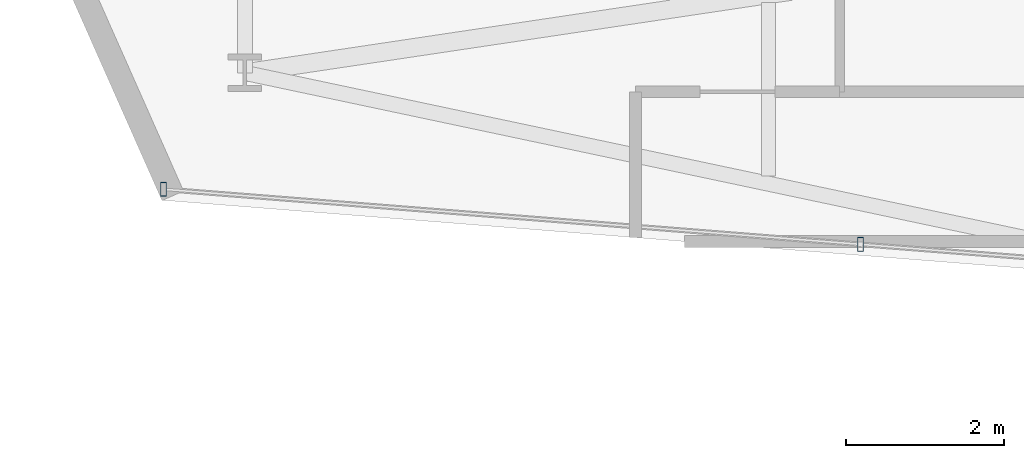
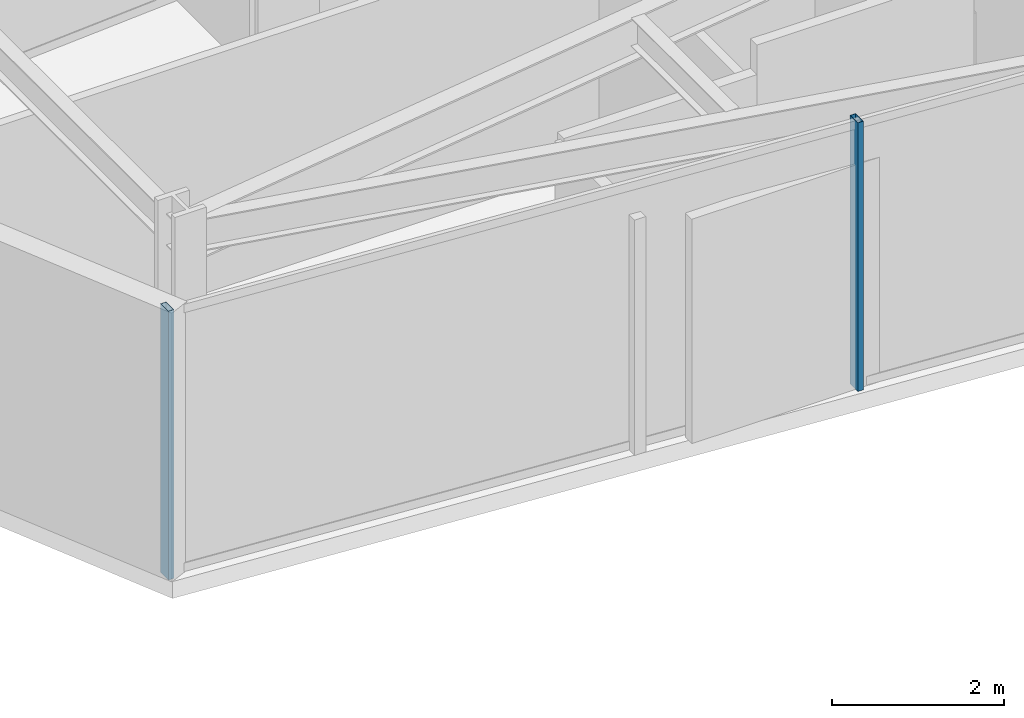
# One storey, part 2 of 24: 2 members, 1 element without a shape of its own.
"""IFC4 building model written with IfcOpenShell, lengths in metres."""

import ifcopenshell
import ifcopenshell.guid

model = None  # the IFC model being written
_history = None  # IfcOwnerHistory: only IFC2X3 demands one
_inside = {}  # id of a spatial element -> (the spatial element, [elements in it])
_under = {}  # id of a project, library or spatial element -> (it, [spatial elements below it])
_declared = {}  # id of a project -> (the project, [libraries it declares])
_typed = {}  # id of a type object -> (the type object, [elements of that type])
_made_of = {}  # id of a material, layer set ... -> (it, [elements and type objects made of it])


def new_model(schema):
    """Start an empty IFC model of exactly this schema.

    Asked for "IFC4X3", IfcOpenShell would pick the latest addendum, in which some entities
    have other attributes; the version numbers below select the first issue.
    IFC2X3 requires an IfcOwnerHistory on every rooted entity: one is made here for all.
    """
    global model, _history
    if schema == "IFC4X3":
        model = ifcopenshell.file(schema_version=(4, 3, 0, 0))
    else:
        model = ifcopenshell.file(schema=schema)
    _inside.clear()
    _under.clear()
    _declared.clear()
    _typed.clear()
    _made_of.clear()
    _history = None
    if model.schema == "IFC2X3":
        org = make("IfcOrganization", Name="unknown")
        user = make(
            "IfcPersonAndOrganization",
            ThePerson=make("IfcPerson", FamilyName="unknown"),
            TheOrganization=org,
        )
        app = make(
            "IfcApplication",
            ApplicationDeveloper=org,
            Version="unknown",
            ApplicationFullName="unknown",
            ApplicationIdentifier="unknown",
        )
        _history = make(
            "IfcOwnerHistory",
            OwningUser=user,
            OwningApplication=app,
            ChangeAction="ADDED",
            CreationDate=0,
        )
    return model


def make(cls, **values):
    """One entity of the class cls with the attributes given. An attribute that is None is left unset."""
    return model.create_entity(
        cls, **{name: value for name, value in values.items() if value is not None}
    )


def rooted(cls, **values):
    """An entity with a GlobalId (a new one), such as an element, a storey or a relation."""
    return make(cls, GlobalId=ifcopenshell.guid.new(), OwnerHistory=_history, **values)


def si_unit(unit_type, name, prefix=None):
    """IfcSIUnit, for example si_unit("LENGTHUNIT", "METRE", prefix="MILLI")."""
    return make("IfcSIUnit", UnitType=unit_type, Prefix=prefix, Name=name)


def assignment(units):
    """IfcUnitAssignment: the units of a project."""
    return None if units is None else make("IfcUnitAssignment", Units=units)


def point(xyz):
    """IfcCartesianPoint."""
    return None if xyz is None else make("IfcCartesianPoint", Coordinates=xyz)


def direction(xyz):
    """IfcDirection."""
    return None if xyz is None else make("IfcDirection", DirectionRatios=xyz)


def frame(location, z_axis=None, x_axis=None):
    """IfcAxis2Placement3D, a coordinate frame: its origin and axes. An axis left out is left unset."""
    return make(
        "IfcAxis2Placement3D",
        Location=point(location),
        Axis=direction(z_axis),
        RefDirection=direction(x_axis),
    )


def frame_2d(location, x_axis=None):
    """IfcAxis2Placement2D, a coordinate frame in the plane: its origin and x axis."""
    return make(
        "IfcAxis2Placement2D", Location=point(location), RefDirection=direction(x_axis)
    )


def origin():
    """The frame at (0, 0, 0) with its axes left unset."""
    return frame((0.0, 0.0, 0.0))


def origin_2d():
    """The frame at (0, 0) in the plane with its x axis left unset."""
    return frame_2d((0.0, 0.0))


def place(relative_to, where):
    """IfcLocalPlacement: puts the frame where relative to a parent placement (None: the world)."""
    return make(
        "IfcLocalPlacement", PlacementRelTo=relative_to, RelativePlacement=where
    )


def context(
    kind, dimensions, precision=None, world=None, true_north=None, identifier=None
):
    """IfcGeometricRepresentationContext, for example the 3D "Model" context."""
    return make(
        "IfcGeometricRepresentationContext",
        ContextIdentifier=identifier,
        ContextType=kind,
        CoordinateSpaceDimension=dimensions,
        Precision=precision,
        WorldCoordinateSystem=world,
        TrueNorth=true_north,
    )


def subcontext(parent, identifier, kind, view, scale=None):
    """IfcGeometricRepresentationSubContext, for example "Body" below "Model"."""
    return make(
        "IfcGeometricRepresentationSubContext",
        ContextIdentifier=identifier,
        ContextType=kind,
        ParentContext=parent,
        TargetScale=scale,
        TargetView=view,
    )


def project(units=None, contexts=None):
    """IfcProject with its units and contexts."""
    return rooted(
        "IfcProject",
        Name="project",
        RepresentationContexts=contexts,
        UnitsInContext=assignment(units),
    )


def spatial(cls, under=None, at=None, **own):
    """A site, building, storey or space (cls), placed at a placement, below another one or the project."""
    s = rooted(cls, ObjectPlacement=at, **own)
    if under is not None:
        _under.setdefault(under.id(), (under, []))[1].append(s)
    return s


def profile(cls, at=None, kind="AREA", **sizes):
    """A parametric profile (cls). Its sizes go by their IFC names, for example OverallWidth=200.0."""
    return make(cls, ProfileType=kind, Position=at, **sizes)


def hollow_rectangle(**sizes):
    """IfcRectangleHollowProfileDef."""
    return profile("IfcRectangleHollowProfileDef", **sizes)


def extrude(swept, where, along, depth):
    """IfcExtrudedAreaSolid: the profile swept, set in the frame where, extruded along a direction by depth."""
    return make(
        "IfcExtrudedAreaSolid",
        SweptArea=swept,
        Position=where,
        ExtrudedDirection=direction(along),
        Depth=depth,
    )


def shape(context_of_items, identifier, shape_type, items):
    """IfcShapeRepresentation: the items that make up one representation, for example the "Body"."""
    return make(
        "IfcShapeRepresentation",
        ContextOfItems=context_of_items,
        RepresentationIdentifier=identifier,
        RepresentationType=shape_type,
        Items=items,
    )


def material(Name=None, Category=None):
    """IfcMaterial."""
    return make("IfcMaterial", Name=Name, Category=Category)


def layer(
    of_material, thickness, ventilated=None, Name=None, Category=None, Priority=None
):
    """IfcMaterialLayer: one layer of a wall or slab, of a material (None: an air gap)."""
    return make(
        "IfcMaterialLayer",
        Material=of_material,
        LayerThickness=thickness,
        IsVentilated=ventilated,
        Name=Name,
        Category=Category,
        Priority=Priority,
    )


def layer_set(layers, Name=None):
    """IfcMaterialLayerSet."""
    return make("IfcMaterialLayerSet", MaterialLayers=layers, LayerSetName=Name)


def material_profile(
    of_material, cross_section, Name=None, Category=None, Priority=None
):
    """IfcMaterialProfile: a cross section and its material."""
    return make(
        "IfcMaterialProfile",
        Name=Name,
        Material=of_material,
        Profile=cross_section,
        Priority=Priority,
        Category=Category,
    )


def profile_set(profiles, Name=None, composite=None):
    """IfcMaterialProfileSet."""
    return make(
        "IfcMaterialProfileSet",
        Name=Name,
        MaterialProfiles=profiles,
        CompositeProfile=composite,
    )


def made_of(thing, what):
    """Note that an element or type object is made of a material, layer set ...; save() writes the relation."""
    if what is not None:
        _made_of.setdefault(what.id(), (what, []))[1].append(thing)
    return thing


def type_object(cls, material=None, **own):
    """A type object (cls), such as IfcWallType, which elements share."""
    return made_of(rooted(cls, **own), material)


def element(
    cls,
    number,
    at=None,
    inside=None,
    cuts=None,
    type_object=None,
    material=None,
    context=None,
    identifier="Body",
    shape_type=None,
    held_by="IfcProductDefinitionShape",
    body=None,
    shapes=None,
    **own,
):
    """One element of the class cls, such as IfcWall. Its Tag is "e" and its number.

    at: its placement. inside: the storey or other place that contains it. cuts: it is an
    opening in that element (IfcRelVoidsElement). A single representation is given by context,
    identifier, shape_type and body (its items); several are given by shapes. held_by: the class
    of the entity that holds the representations. save() writes the other relations.
    """
    e = rooted(cls, Tag="e%d" % number, ObjectPlacement=at, **own)
    if body is not None:
        shapes = [shape(context, identifier, shape_type, body)]
    if shapes is not None:
        e.Representation = make(held_by, Representations=shapes)
    if inside is not None:
        _inside.setdefault(inside.id(), (inside, []))[1].append(e)
    if cuts is not None:
        rooted(
            "IfcRelVoidsElement", RelatingBuildingElement=cuts, RelatedOpeningElement=e
        )
    if type_object is not None:
        _typed.setdefault(type_object.id(), (type_object, []))[1].append(e)
    return made_of(e, material)


def aggregate(whole, parts):
    """IfcRelAggregates: a whole, such as a stair, and the parts it consists of."""
    return rooted("IfcRelAggregates", RelatingObject=whole, RelatedObjects=parts)


def save(model, path):
    """Write the relations noted so far, then the file.

    IfcRelAggregates (storeys below a building ...), IfcRelContainedInSpatialStructure (elements
    in a storey), IfcRelDefinesByType, IfcRelAssociatesMaterial and IfcRelDeclares: one each for
    every whole, place, type object, material and project.
    """
    for whole, parts in _under.values():
        aggregate(whole, parts)
    for where, things in _inside.values():
        rooted(
            "IfcRelContainedInSpatialStructure",
            RelatedElements=things,
            RelatingStructure=where,
        )
    for kind, things in _typed.values():
        rooted("IfcRelDefinesByType", RelatedObjects=things, RelatingType=kind)
    for what, things in _made_of.values():
        rooted("IfcRelAssociatesMaterial", RelatedObjects=things, RelatingMaterial=what)
    for by, libraries in _declared.values():
        rooted("IfcRelDeclares", RelatingContext=by, RelatedDefinitions=libraries)
    model.write(path)


model = new_model("IFC4")

# Units and contexts
model_context = context("Model", 3, precision=1e-05, world=origin(), true_north=direction((0.0, 1.0)))
body_context = subcontext(model_context, "Body", "Model", "MODEL_VIEW")
ifc_project = project(units=[si_unit("LENGTHUNIT", "METRE"), si_unit("AREAUNIT", "SQUARE_METRE"), si_unit("VOLUMEUNIT", "CUBIC_METRE"), si_unit("PLANEANGLEUNIT", "RADIAN"), si_unit("MASSUNIT", "GRAM", prefix="KILO")], contexts=[model_context])

# Site, building, storey
site_placement = place(None, origin())
site = spatial("IfcSite", under=ifc_project, at=site_placement, CompositionType="ELEMENT")
building_placement = place(site_placement, origin())
building = spatial("IfcBuilding", under=site, at=building_placement, Name="Veymaron Broadcast Tower", CompositionType="ELEMENT")
storey_placement = place(building_placement, frame((0.0, 0.0, 78.300048828125)))
storey = spatial("IfcBuildingStorey", under=building, at=storey_placement, Name="L17", CompositionType="ELEMENT", Elevation=78.300048828125)

# Curtain wall, members
ifc_material_1 = material(Name="Anodised aluminium AA 6063-T6 and laminated low-E dark glass", Category="aluminium")
ifc_layer = layer(ifc_material_1, 0.179931640625)
ifc_layer_set = layer_set([ifc_layer], Name="Anodised aluminium AA 6063-T6 and laminated low-E dark glass")
curtain_wall_type = type_object("IfcCurtainWallType", Name="CW-SYS-02", PredefinedType="NOTDEFINED", material=ifc_layer_set)
curtain_wall_placement = place(storey_placement, origin())
curtain_wall = element("IfcCurtainWall", 1, at=curtain_wall_placement, inside=storey, type_object=curtain_wall_type, Name="L17 dark-glass curtain wall CW-L17-E14-1", PredefinedType="NOTDEFINED")
ifc_material_2 = material(Name="Anodised aluminium AA 6063-T6", Category="aluminium")
ifc_material_profile = material_profile(ifc_material_2, hollow_rectangle(XDim=0.074951171875, YDim=0.179931640625, WallThickness=0.0048828125, at=origin_2d()), Name="AL180X75X5")
ifc_profile_set = profile_set([ifc_material_profile], Name="Anodised aluminium AA 6063-T6")
member_type = type_object("IfcMemberType", Name="CW-MUL-02", PredefinedType="MULLION", material=ifc_profile_set)
member_1_placement = place(storey_placement, frame((8.010986328125, 19.212646484375, 0.0), z_axis=(0.0, 0.0, 1.0), x_axis=(1.0, 0.0, 0.0)))
member_1 = element("IfcMember", 2, at=member_1_placement, type_object=member_type, Name="CW-L17-E14-1 mullion 0", PredefinedType="MULLION", context=body_context, shape_type="SweptSolid", body=[
    extrude(hollow_rectangle(XDim=0.074951171875, YDim=0.179931640625, WallThickness=0.0048828125, at=origin_2d()), origin(), (0.0, 0.0, 1.0), 3.81005859375),
])
member_2_placement = place(storey_placement, frame((16.85498046875, 18.513916015625, 0.0), z_axis=(0.0, 0.0, 1.0), x_axis=(1.0, 0.0, 0.0)))
member_2 = element("IfcMember", 3, at=member_2_placement, type_object=member_type, Name="CW-L17-E14-1 mullion 1", PredefinedType="MULLION", context=body_context, shape_type="SweptSolid", body=[
    extrude(hollow_rectangle(XDim=0.074951171875, YDim=0.179931640625, WallThickness=0.0048828125, at=origin_2d()), origin(), (0.0, 0.0, 1.0), 3.81005859375),
])
aggregate(curtain_wall, [member_1, member_2])

save(model, "model.ifc")
